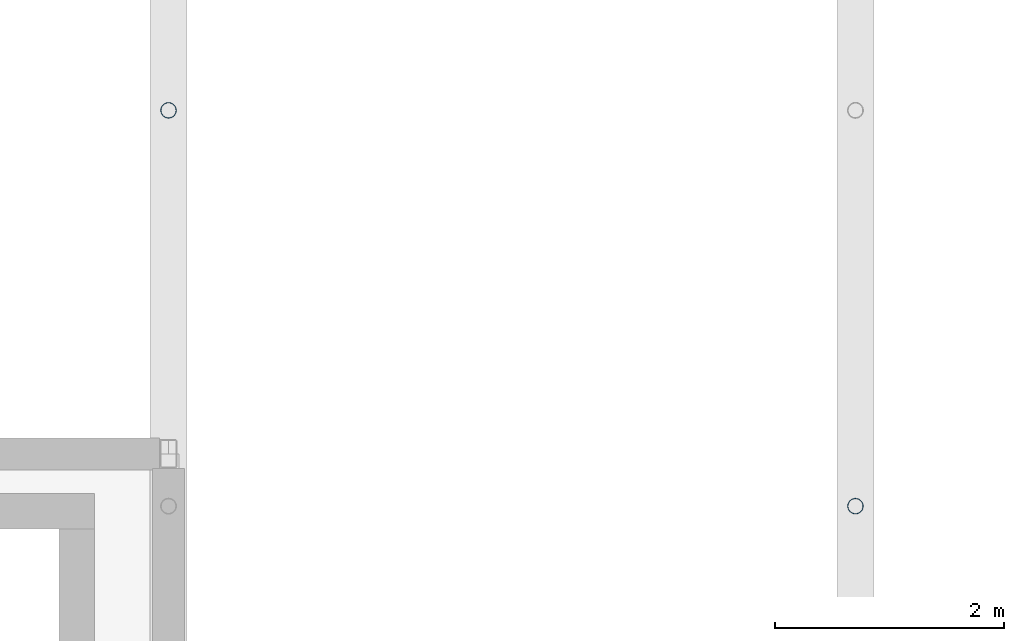
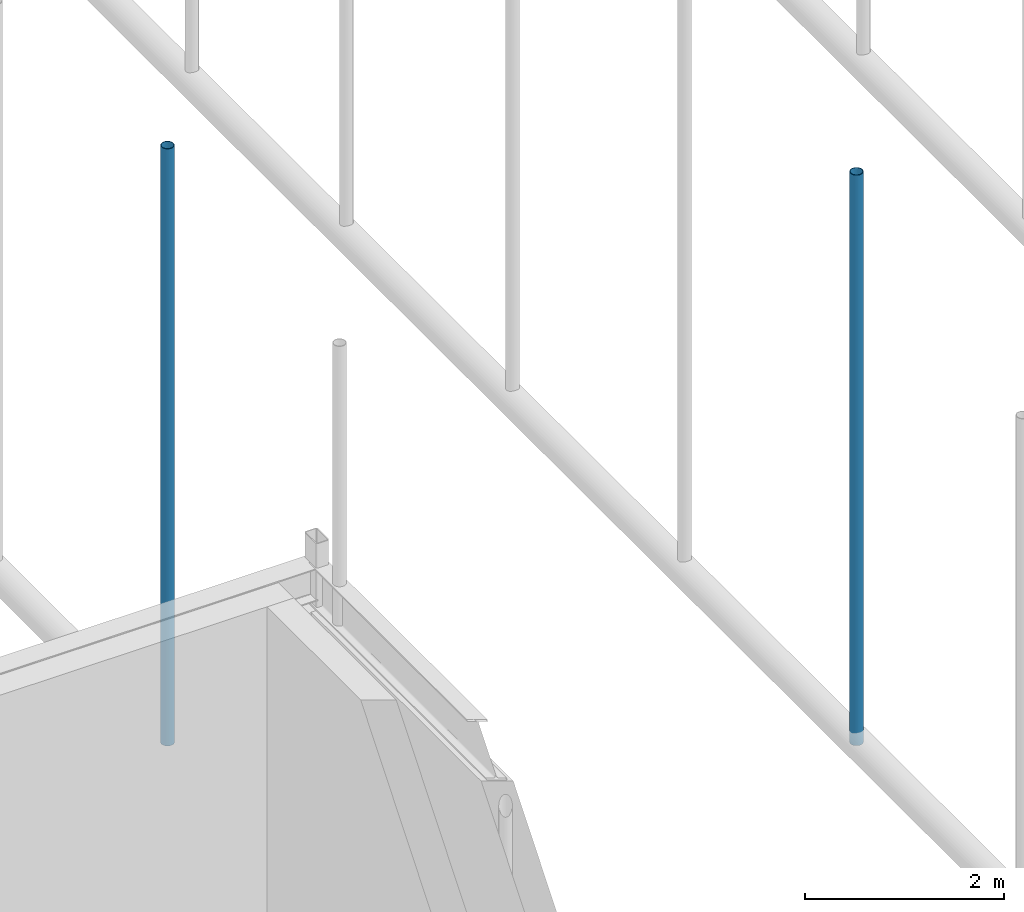
# One storey, part 31 of 116: 2 members.
"""IFC4 building model written with IfcOpenShell, lengths in metres."""

from ifc_helpers import new_model, si_unit, direction, frame, origin, origin_2d, place, context, subcontext, project, spatial, hollow_circle, extrude, material, material_profile, profile_set, type_object, element, save


model = new_model("IFC4")

# Units and contexts
model_context = context("Model", 3, precision=1e-05, world=origin(), true_north=direction((0.0, 1.0)))
body_context = subcontext(model_context, "Body", "Model", "MODEL_VIEW")
ifc_project = project(units=[si_unit("LENGTHUNIT", "METRE"), si_unit("AREAUNIT", "SQUARE_METRE"), si_unit("VOLUMEUNIT", "CUBIC_METRE"), si_unit("PLANEANGLEUNIT", "RADIAN"), si_unit("MASSUNIT", "GRAM", prefix="KILO")], contexts=[model_context])

# Site, building, storey
site_placement = place(None, origin())
site = spatial("IfcSite", under=ifc_project, at=site_placement, CompositionType="ELEMENT")
building_placement = place(site_placement, origin())
building = spatial("IfcBuilding", under=site, at=building_placement, Name="Varnakota Square Police Headquarters", CompositionType="ELEMENT")
storey_placement = place(building_placement, frame((0.0, 0.0, 9.300048828125)))
storey = spatial("IfcBuildingStorey", under=building, at=storey_placement, Name="L02", CompositionType="ELEMENT", Elevation=9.300048828125)

# Members
ifc_material = material(Name="Steel IS 2062 Grade 350", Category="steel")
ifc_material_profile = material_profile(ifc_material, hollow_circle(Radius=0.06982421875, WallThickness=0.006103515625, at=origin_2d()), Name="CHS 139.7x6.0")
ifc_profile_set = profile_set([ifc_material_profile], Name="Steel IS 2062 Grade 350")
member_type = type_object("IfcMemberType", Name="MEM-HNG-CHS139", PredefinedType="STRUT", material=ifc_profile_set)
member_1_placement = place(storey_placement, frame((54.0, 24.0, -0.150146484375), z_axis=(0.0, 0.0, 1.0), x_axis=(1.0, 0.0, 0.0)))
element("IfcMember", 1, at=member_1_placement, inside=storey, type_object=member_type, Name="Barrel vault hanger strut V1-R01-N5", PredefinedType="STRUT", context=body_context, shape_type="SweptSolid", body=[
    extrude(hollow_circle(Radius=0.06982421875, WallThickness=0.006103515625, at=origin_2d()), origin(), (0.0, 0.0, 1.0), 7.326416015625),
])
member_2_placement = place(storey_placement, frame((60.0, 20.54248046875, -0.150146484375), z_axis=(0.0, 0.0, 1.0), x_axis=(1.0, 0.0, 0.0)))
element("IfcMember", 2, at=member_2_placement, inside=storey, type_object=member_type, Name="Barrel vault hanger strut V1-R02-N4", PredefinedType="STRUT", context=body_context, shape_type="SweptSolid", body=[
    extrude(hollow_circle(Radius=0.06982421875, WallThickness=0.006103515625, at=origin_2d()), origin(), (0.0, 0.0, 1.0), 7.0),
])

save(model, "model.ifc")
